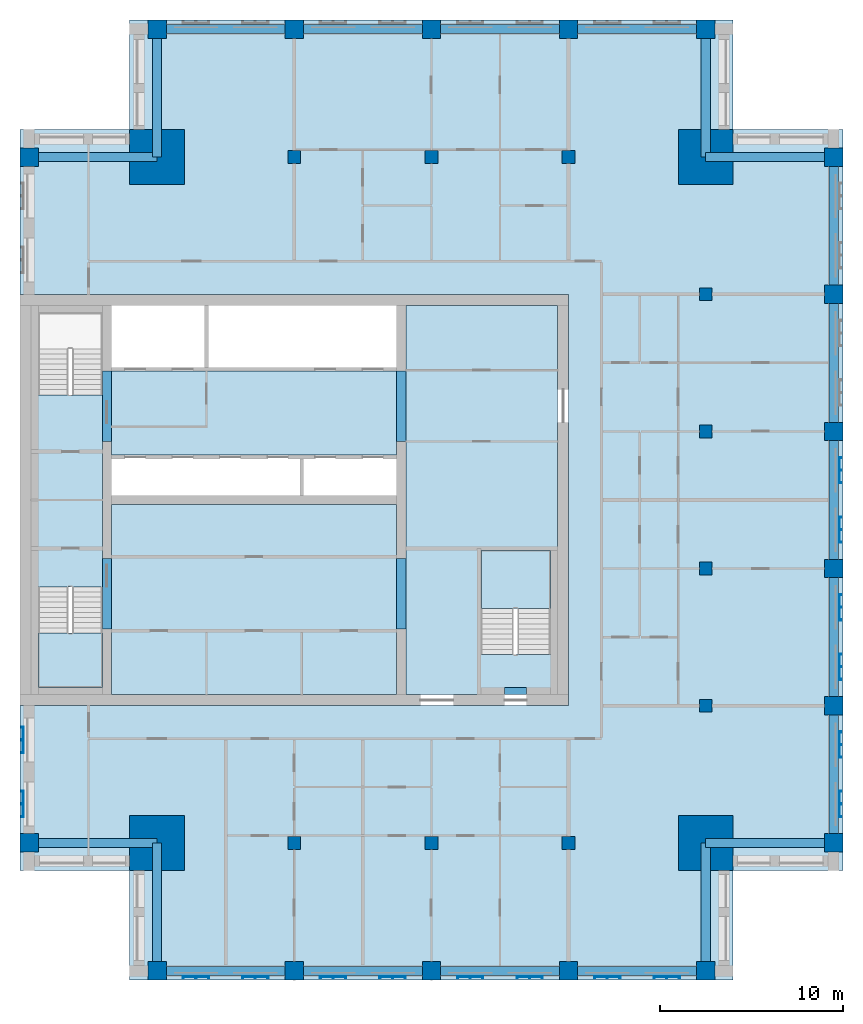
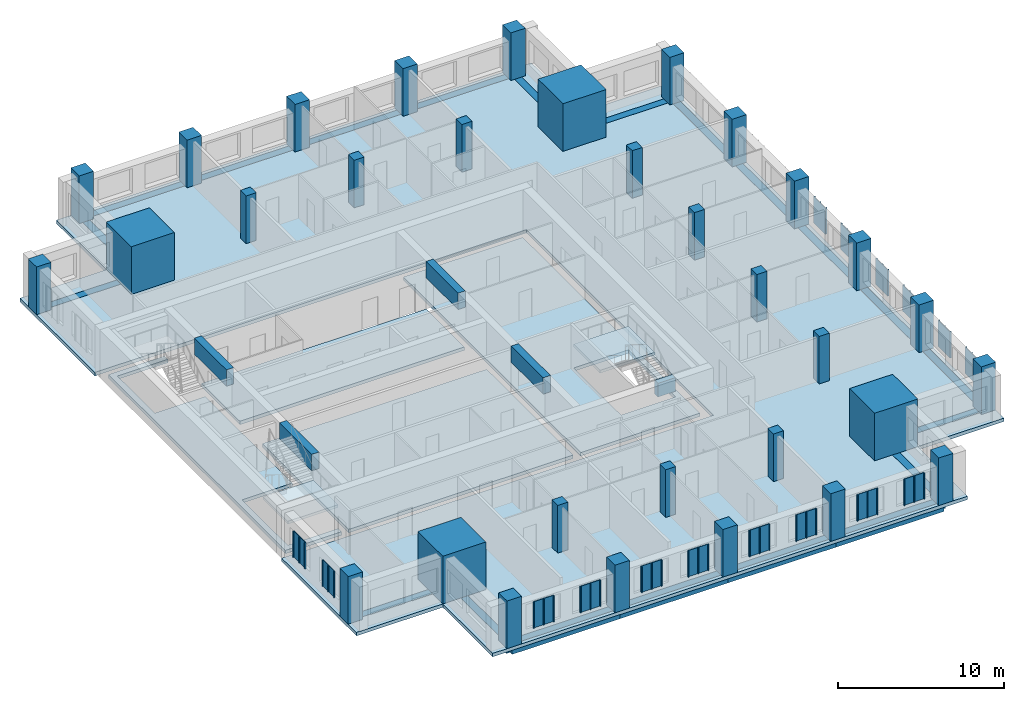
# One storey, part 1 of 10: 32 columns, 26 beams, 16 plates, 7 slabs, 2 elements without a shape of their own.
"""IFC4 building model written with IfcOpenShell, lengths in metres."""

import ifcopenshell
import ifcopenshell.guid

model = None  # the IFC model being written
_history = None  # IfcOwnerHistory: only IFC2X3 demands one
_inside = {}  # id of a spatial element -> (the spatial element, [elements in it])
_under = {}  # id of a project, library or spatial element -> (it, [spatial elements below it])
_declared = {}  # id of a project -> (the project, [libraries it declares])
_typed = {}  # id of a type object -> (the type object, [elements of that type])
_made_of = {}  # id of a material, layer set ... -> (it, [elements and type objects made of it])


def new_model(schema):
    """Start an empty IFC model of exactly this schema.

    Asked for "IFC4X3", IfcOpenShell would pick the latest addendum, in which some entities
    have other attributes; the version numbers below select the first issue.
    IFC2X3 requires an IfcOwnerHistory on every rooted entity: one is made here for all.
    """
    global model, _history
    if schema == "IFC4X3":
        model = ifcopenshell.file(schema_version=(4, 3, 0, 0))
    else:
        model = ifcopenshell.file(schema=schema)
    _inside.clear()
    _under.clear()
    _declared.clear()
    _typed.clear()
    _made_of.clear()
    _history = None
    if model.schema == "IFC2X3":
        org = make("IfcOrganization", Name="unknown")
        user = make(
            "IfcPersonAndOrganization",
            ThePerson=make("IfcPerson", FamilyName="unknown"),
            TheOrganization=org,
        )
        app = make(
            "IfcApplication",
            ApplicationDeveloper=org,
            Version="unknown",
            ApplicationFullName="unknown",
            ApplicationIdentifier="unknown",
        )
        _history = make(
            "IfcOwnerHistory",
            OwningUser=user,
            OwningApplication=app,
            ChangeAction="ADDED",
            CreationDate=0,
        )
    return model


def make(cls, **values):
    """One entity of the class cls with the attributes given. An attribute that is None is left unset."""
    return model.create_entity(
        cls, **{name: value for name, value in values.items() if value is not None}
    )


def rooted(cls, **values):
    """An entity with a GlobalId (a new one), such as an element, a storey or a relation."""
    return make(cls, GlobalId=ifcopenshell.guid.new(), OwnerHistory=_history, **values)


def si_unit(unit_type, name, prefix=None):
    """IfcSIUnit, for example si_unit("LENGTHUNIT", "METRE", prefix="MILLI")."""
    return make("IfcSIUnit", UnitType=unit_type, Prefix=prefix, Name=name)


def assignment(units):
    """IfcUnitAssignment: the units of a project."""
    return None if units is None else make("IfcUnitAssignment", Units=units)


def point(xyz):
    """IfcCartesianPoint."""
    return None if xyz is None else make("IfcCartesianPoint", Coordinates=xyz)


def direction(xyz):
    """IfcDirection."""
    return None if xyz is None else make("IfcDirection", DirectionRatios=xyz)


def frame(location, z_axis=None, x_axis=None):
    """IfcAxis2Placement3D, a coordinate frame: its origin and axes. An axis left out is left unset."""
    return make(
        "IfcAxis2Placement3D",
        Location=point(location),
        Axis=direction(z_axis),
        RefDirection=direction(x_axis),
    )


def frame_2d(location, x_axis=None):
    """IfcAxis2Placement2D, a coordinate frame in the plane: its origin and x axis."""
    return make(
        "IfcAxis2Placement2D", Location=point(location), RefDirection=direction(x_axis)
    )


def origin():
    """The frame at (0, 0, 0) with its axes left unset."""
    return frame((0.0, 0.0, 0.0))


def origin_2d():
    """The frame at (0, 0) in the plane with its x axis left unset."""
    return frame_2d((0.0, 0.0))


def place(relative_to, where):
    """IfcLocalPlacement: puts the frame where relative to a parent placement (None: the world)."""
    return make(
        "IfcLocalPlacement", PlacementRelTo=relative_to, RelativePlacement=where
    )


def context(
    kind, dimensions, precision=None, world=None, true_north=None, identifier=None
):
    """IfcGeometricRepresentationContext, for example the 3D "Model" context."""
    return make(
        "IfcGeometricRepresentationContext",
        ContextIdentifier=identifier,
        ContextType=kind,
        CoordinateSpaceDimension=dimensions,
        Precision=precision,
        WorldCoordinateSystem=world,
        TrueNorth=true_north,
    )


def subcontext(parent, identifier, kind, view, scale=None):
    """IfcGeometricRepresentationSubContext, for example "Body" below "Model"."""
    return make(
        "IfcGeometricRepresentationSubContext",
        ContextIdentifier=identifier,
        ContextType=kind,
        ParentContext=parent,
        TargetScale=scale,
        TargetView=view,
    )


def project(units=None, contexts=None):
    """IfcProject with its units and contexts."""
    return rooted(
        "IfcProject",
        Name="project",
        RepresentationContexts=contexts,
        UnitsInContext=assignment(units),
    )


def spatial(cls, under=None, at=None, **own):
    """A site, building, storey or space (cls), placed at a placement, below another one or the project."""
    s = rooted(cls, ObjectPlacement=at, **own)
    if under is not None:
        _under.setdefault(under.id(), (under, []))[1].append(s)
    return s


def polyline(points):
    """IfcPolyline through the points."""
    return make("IfcPolyline", Points=[point(p) for p in points])


def profile(cls, at=None, kind="AREA", **sizes):
    """A parametric profile (cls). Its sizes go by their IFC names, for example OverallWidth=200.0."""
    return make(cls, ProfileType=kind, Position=at, **sizes)


def rectangle(**sizes):
    """IfcRectangleProfileDef."""
    return profile("IfcRectangleProfileDef", **sizes)


def outline(outer, holes=None, kind="AREA"):
    """IfcArbitraryClosedProfileDef: a profile drawn as a closed curve; with holes, ...WithVoids."""
    if holes is None:
        return make("IfcArbitraryClosedProfileDef", ProfileType=kind, OuterCurve=outer)
    return make(
        "IfcArbitraryProfileDefWithVoids",
        ProfileType=kind,
        OuterCurve=outer,
        InnerCurves=holes,
    )


def extrude(swept, where, along, depth):
    """IfcExtrudedAreaSolid: the profile swept, set in the frame where, extruded along a direction by depth."""
    return make(
        "IfcExtrudedAreaSolid",
        SweptArea=swept,
        Position=where,
        ExtrudedDirection=direction(along),
        Depth=depth,
    )


def shape(context_of_items, identifier, shape_type, items):
    """IfcShapeRepresentation: the items that make up one representation, for example the "Body"."""
    return make(
        "IfcShapeRepresentation",
        ContextOfItems=context_of_items,
        RepresentationIdentifier=identifier,
        RepresentationType=shape_type,
        Items=items,
    )


def material(Name=None, Category=None):
    """IfcMaterial."""
    return make("IfcMaterial", Name=Name, Category=Category)


def layer(
    of_material, thickness, ventilated=None, Name=None, Category=None, Priority=None
):
    """IfcMaterialLayer: one layer of a wall or slab, of a material (None: an air gap)."""
    return make(
        "IfcMaterialLayer",
        Material=of_material,
        LayerThickness=thickness,
        IsVentilated=ventilated,
        Name=Name,
        Category=Category,
        Priority=Priority,
    )


def layer_set(layers, Name=None):
    """IfcMaterialLayerSet."""
    return make("IfcMaterialLayerSet", MaterialLayers=layers, LayerSetName=Name)


def material_profile(
    of_material, cross_section, Name=None, Category=None, Priority=None
):
    """IfcMaterialProfile: a cross section and its material."""
    return make(
        "IfcMaterialProfile",
        Name=Name,
        Material=of_material,
        Profile=cross_section,
        Priority=Priority,
        Category=Category,
    )


def profile_set(profiles, Name=None, composite=None):
    """IfcMaterialProfileSet."""
    return make(
        "IfcMaterialProfileSet",
        Name=Name,
        MaterialProfiles=profiles,
        CompositeProfile=composite,
    )


def made_of(thing, what):
    """Note that an element or type object is made of a material, layer set ...; save() writes the relation."""
    if what is not None:
        _made_of.setdefault(what.id(), (what, []))[1].append(thing)
    return thing


def type_object(cls, material=None, **own):
    """A type object (cls), such as IfcWallType, which elements share."""
    return made_of(rooted(cls, **own), material)


def element(
    cls,
    number,
    at=None,
    inside=None,
    cuts=None,
    type_object=None,
    material=None,
    context=None,
    identifier="Body",
    shape_type=None,
    held_by="IfcProductDefinitionShape",
    body=None,
    shapes=None,
    **own,
):
    """One element of the class cls, such as IfcWall. Its Tag is "e" and its number.

    at: its placement. inside: the storey or other place that contains it. cuts: it is an
    opening in that element (IfcRelVoidsElement). A single representation is given by context,
    identifier, shape_type and body (its items); several are given by shapes. held_by: the class
    of the entity that holds the representations. save() writes the other relations.
    """
    e = rooted(cls, Tag="e%d" % number, ObjectPlacement=at, **own)
    if body is not None:
        shapes = [shape(context, identifier, shape_type, body)]
    if shapes is not None:
        e.Representation = make(held_by, Representations=shapes)
    if inside is not None:
        _inside.setdefault(inside.id(), (inside, []))[1].append(e)
    if cuts is not None:
        rooted(
            "IfcRelVoidsElement", RelatingBuildingElement=cuts, RelatedOpeningElement=e
        )
    if type_object is not None:
        _typed.setdefault(type_object.id(), (type_object, []))[1].append(e)
    return made_of(e, material)


def aggregate(whole, parts):
    """IfcRelAggregates: a whole, such as a stair, and the parts it consists of."""
    return rooted("IfcRelAggregates", RelatingObject=whole, RelatedObjects=parts)


def save(model, path):
    """Write the relations noted so far, then the file.

    IfcRelAggregates (storeys below a building ...), IfcRelContainedInSpatialStructure (elements
    in a storey), IfcRelDefinesByType, IfcRelAssociatesMaterial and IfcRelDeclares: one each for
    every whole, place, type object, material and project.
    """
    for whole, parts in _under.values():
        aggregate(whole, parts)
    for where, things in _inside.values():
        rooted(
            "IfcRelContainedInSpatialStructure",
            RelatedElements=things,
            RelatingStructure=where,
        )
    for kind, things in _typed.values():
        rooted("IfcRelDefinesByType", RelatedObjects=things, RelatingType=kind)
    for what, things in _made_of.values():
        rooted("IfcRelAssociatesMaterial", RelatedObjects=things, RelatingMaterial=what)
    for by, libraries in _declared.values():
        rooted("IfcRelDeclares", RelatingContext=by, RelatedDefinitions=libraries)
    model.write(path)


model = new_model("IFC4")

# Units and contexts
model_context = context("Model", 3, precision=1e-05, world=origin(), true_north=direction((0.0, 1.0)))
body_context = subcontext(model_context, "Body", "Model", "MODEL_VIEW")
ifc_project = project(units=[si_unit("LENGTHUNIT", "METRE"), si_unit("AREAUNIT", "SQUARE_METRE"), si_unit("VOLUMEUNIT", "CUBIC_METRE"), si_unit("PLANEANGLEUNIT", "RADIAN"), si_unit("MASSUNIT", "GRAM", prefix="KILO")], contexts=[model_context])

# Site, building, storey
site_placement = place(None, origin())
site = spatial("IfcSite", under=ifc_project, at=site_placement, CompositionType="ELEMENT")
building_placement = place(site_placement, origin())
building = spatial("IfcBuilding", under=site, at=building_placement, Name="Tamorin Gate", CompositionType="ELEMENT")
storey_placement = place(building_placement, frame((0.0, 0.0, 269.699951171875)))
storey = spatial("IfcBuildingStorey", under=building, at=storey_placement, Name="L67", CompositionType="ELEMENT", Elevation=269.699951171875)

# Columns
ifc_material_1 = material(Name="Concrete C50/60", Category="concrete")
ifc_material_profile_1 = material_profile(ifc_material_1, rectangle(XDim=1.0, YDim=1.0, at=origin_2d()), Name="RC 1000x1000")
ifc_profile_set_1 = profile_set([ifc_material_profile_1], Name="Concrete C50/60")
column_type_1 = type_object("IfcColumnType", Name="RC column 1000x1000 C50/60", PredefinedType="COLUMN", material=ifc_profile_set_1)
for number, where, z_axis, x_axis, name in (
    (1, (30.5, 52.5, 0.0), (0.0, 0.0, 1.0), (1.0, 0.0, 0.0), "Ring column L67"),
    (2, (30.5, 90.0, 0.0), (0.0, 0.0, 1.0), (1.0, 0.0, 0.0), "Ring column L67"),
    (3, (37.5, 45.5, 0.0), (0.0, 0.0, 1.0), (1.0, 0.0, 0.0), "Ring column L67"),
    (4, (37.5, 97.0, 0.0), (0.0, 0.0, 1.0), (1.0, 0.0, 0.0), "Ring column L67"),
    (5, (45.0, 45.5, 0.0), (0.0, 0.0, 1.0), (1.0, 0.0, 0.0), "Ring column L67"),
    (6, (45.0, 97.0, 0.0), (0.0, 0.0, 1.0), (1.0, 0.0, 0.0), "Ring column L67"),
    (7, (52.5, 45.5, 0.0), (0.0, 0.0, 1.0), (1.0, 0.0, 0.0), "Ring column L67"),
    (8, (52.5, 97.0, 0.0), (0.0, 0.0, 1.0), (1.0, 0.0, 0.0), "Ring column L67"),
    (9, (60.0, 45.5, 0.0), (0.0, 0.0, 1.0), (1.0, 0.0, 0.0), "Ring column L67"),
    (10, (60.0, 97.0, 0.0), (0.0, 0.0, 1.0), (1.0, 0.0, 0.0), "Ring column L67"),
    (11, (67.5, 45.5, 0.0), (0.0, 0.0, 1.0), (1.0, 0.0, 0.0), "Ring column L67"),
    (12, (67.5, 97.0, 0.0), (0.0, 0.0, 1.0), (1.0, 0.0, 0.0), "Ring column L67"),
    (13, (74.5, 52.5, 0.0), (0.0, 0.0, 1.0), (1.0, 0.0, 0.0), "Ring column L67"),
    (14, (74.5, 60.0, 0.0), (0.0, 0.0, 1.0), (1.0, 0.0, 0.0), "Ring column L67"),
    (15, (74.5, 67.5, 0.0), (0.0, 0.0, 1.0), (1.0, 0.0, 0.0), "Ring column L67"),
    (16, (74.5, 75.0, 0.0), (0.0, 0.0, 1.0), (1.0, 0.0, 0.0), "Ring column L67"),
    (17, (74.5, 82.5, 0.0), (0.0, 0.0, 1.0), (1.0, 0.0, 0.0), "Ring column L67"),
    (18, (74.5, 90.0, 0.0), (0.0, 0.0, 1.0), (1.0, 0.0, 0.0), "Ring column L67"),
):
    element("IfcColumn", number, at=place(storey_placement, frame(where, z_axis=z_axis, x_axis=x_axis)), inside=storey, type_object=column_type_1, Name=name, PredefinedType="COLUMN", context=body_context, shape_type="SweptSolid", body=[
        extrude(rectangle(XDim=1.0, YDim=1.0, at=origin_2d()), origin(), (0.0, 0.0, 1.0), 3.5),
    ])
ifc_material_profile_2 = material_profile(ifc_material_1, rectangle(XDim=3.0, YDim=3.0, at=origin_2d()), Name="RC 3000x3000")
ifc_profile_set_2 = profile_set([ifc_material_profile_2], Name="Concrete C50/60")
column_type_2 = type_object("IfcColumnType", Name="RC column 3000x3000 C50/60", PredefinedType="COLUMN", material=ifc_profile_set_2)
for number, where, z_axis, x_axis, name in (
    (19, (37.5, 52.5, 0.0), (0.0, 0.0, 1.0), (1.0, 0.0, 0.0), "Mega column SW L67"),
    (20, (67.5, 52.5, 0.0), (0.0, 0.0, 1.0), (1.0, 0.0, 0.0), "Mega column SE L67"),
    (21, (37.5, 90.0, 0.0), (0.0, 0.0, 1.0), (1.0, 0.0, 0.0), "Mega column NW L67"),
    (22, (67.5, 90.0, 0.0), (0.0, 0.0, 1.0), (1.0, 0.0, 0.0), "Mega column NE L67"),
):
    element("IfcColumn", number, at=place(storey_placement, frame(where, z_axis=z_axis, x_axis=x_axis)), inside=storey, type_object=column_type_2, Name=name, PredefinedType="COLUMN", context=body_context, shape_type="SweptSolid", body=[
        extrude(rectangle(XDim=3.0, YDim=3.0, at=origin_2d()), origin(), (0.0, 0.0, 1.0), 3.5),
    ])
ifc_material_profile_3 = material_profile(ifc_material_1, rectangle(XDim=0.699951171875, YDim=0.699951171875, at=origin_2d()), Name="RC 700x700")
ifc_profile_set_3 = profile_set([ifc_material_profile_3], Name="Concrete C50/60")
column_type_3 = type_object("IfcColumnType", Name="RC column 700x700 C50/60", PredefinedType="COLUMN", material=ifc_profile_set_3)
for number, where, z_axis, x_axis, name in (
    (23, (45.0, 52.5, 0.0), (0.0, 0.0, 1.0), (1.0, 0.0, 0.0), "Interior column L67"),
    (24, (45.0, 90.0, 0.0), (0.0, 0.0, 1.0), (1.0, 0.0, 0.0), "Interior column L67"),
    (25, (52.5, 52.5, 0.0), (0.0, 0.0, 1.0), (1.0, 0.0, 0.0), "Interior column L67"),
    (26, (52.5, 90.0, 0.0), (0.0, 0.0, 1.0), (1.0, 0.0, 0.0), "Interior column L67"),
    (27, (60.0, 52.5, 0.0), (0.0, 0.0, 1.0), (1.0, 0.0, 0.0), "Interior column L67"),
    (28, (60.0, 90.0, 0.0), (0.0, 0.0, 1.0), (1.0, 0.0, 0.0), "Interior column L67"),
    (29, (67.5, 60.0, 0.0), (0.0, 0.0, 1.0), (1.0, 0.0, 0.0), "Interior column L67"),
    (30, (67.5, 67.5, 0.0), (0.0, 0.0, 1.0), (1.0, 0.0, 0.0), "Interior column L67"),
    (31, (67.5, 75.0, 0.0), (0.0, 0.0, 1.0), (1.0, 0.0, 0.0), "Interior column L67"),
    (32, (67.5, 82.5, 0.0), (0.0, 0.0, 1.0), (1.0, 0.0, 0.0), "Interior column L67"),
):
    element("IfcColumn", number, at=place(storey_placement, frame(where, z_axis=z_axis, x_axis=x_axis)), inside=storey, type_object=column_type_3, Name=name, PredefinedType="COLUMN", context=body_context, shape_type="SweptSolid", body=[
        extrude(rectangle(XDim=0.699951171875, YDim=0.699951171875, at=origin_2d()), origin(), (0.0, 0.0, 1.0), 3.5),
    ])

# Beams
ifc_material_profile_4 = material_profile(ifc_material_1, rectangle(XDim=0.5, YDim=1.199951171875, at=origin_2d()), Name="RC 500x1200")
ifc_profile_set_4 = profile_set([ifc_material_profile_4], Name="Concrete C50/60")
beam_type_1 = type_object("IfcBeamType", Name="RC coupling beam 500x1200 C50/60", PredefinedType="BEAM", material=ifc_profile_set_4)
for number, where, z_axis, x_axis, name in (
    (33, (34.75, 64.199951171875, 2.900146484375), (0.0, 1.0, 0.0), (-1.0, 0.0, 0.0), "Coupling beam L67"),
    (34, (34.75, 74.449951171875, 2.900146484375), (0.0, 1.0, 0.0), (-1.0, 0.0, 0.0), "Coupling beam L67"),
    (35, (50.85009765625, 64.199951171875, 2.900146484375), (0.0, 1.0, 0.0), (-1.0, 0.0, 0.0), "Coupling beam L67"),
    (36, (50.85009765625, 74.449951171875, 2.900146484375), (0.0, 1.0, 0.0), (-1.0, 0.0, 0.0), "Coupling beam L67"),
):
    element("IfcBeam", number, at=place(storey_placement, frame(where, z_axis=z_axis, x_axis=x_axis)), inside=storey, type_object=beam_type_1, Name=name, PredefinedType="BEAM", context=body_context, shape_type="SweptSolid", body=[
        extrude(rectangle(XDim=0.5, YDim=1.199951171875, at=origin_2d()), origin(), (0.0, 0.0, 1.0), 3.85009765625),
    ])
ifc_material_profile_5 = material_profile(ifc_material_1, rectangle(XDim=0.5, YDim=0.75, at=origin_2d()), Name="RC 500x750")
ifc_profile_set_5 = profile_set([ifc_material_profile_5], Name="Concrete C50/60")
beam_type_2 = type_object("IfcBeamType", Name="RC spandrel 500x750 C50/60", PredefinedType="BEAM", material=ifc_profile_set_5)
for number, where, z_axis, x_axis, name in (
    (37, (37.5, 45.5, -0.375), (1.0, 0.0, 0.0), (0.0, 1.0, 0.0), "Spandrel beam L67"),
    (38, (45.0, 45.5, -0.375), (1.0, 0.0, 0.0), (0.0, 1.0, 0.0), "Spandrel beam L67"),
    (39, (52.5, 45.5, -0.375), (1.0, 0.0, 0.0), (0.0, 1.0, 0.0), "Spandrel beam L67"),
    (40, (60.0, 45.5, -0.375), (1.0, 0.0, 0.0), (0.0, 1.0, 0.0), "Spandrel beam L67"),
    (41, (74.5, 52.5, -0.375), (0.0, 1.0, 0.0), (-1.0, 0.0, 0.0), "Spandrel beam L67"),
    (42, (74.5, 60.0, -0.375), (0.0, 1.0, 0.0), (-1.0, 0.0, 0.0), "Spandrel beam L67"),
    (43, (74.5, 67.5, -0.375), (0.0, 1.0, 0.0), (-1.0, 0.0, 0.0), "Spandrel beam L67"),
    (44, (74.5, 75.0, -0.375), (0.0, 1.0, 0.0), (-1.0, 0.0, 0.0), "Spandrel beam L67"),
    (45, (74.5, 82.5, -0.375), (0.0, 1.0, 0.0), (-1.0, 0.0, 0.0), "Spandrel beam L67"),
    (46, (67.5, 97.0, -0.375), (-1.0, 0.0, 0.0), (0.0, -1.0, 0.0), "Spandrel beam L67"),
    (47, (60.0, 97.0, -0.375), (-1.0, 0.0, 0.0), (0.0, -1.0, 0.0), "Spandrel beam L67"),
    (48, (52.5, 97.0, -0.375), (-1.0, 0.0, 0.0), (0.0, -1.0, 0.0), "Spandrel beam L67"),
    (49, (45.0, 97.0, -0.375), (-1.0, 0.0, 0.0), (0.0, -1.0, 0.0), "Spandrel beam L67"),
):
    element("IfcBeam", number, at=place(storey_placement, frame(where, z_axis=z_axis, x_axis=x_axis)), inside=storey, type_object=beam_type_2, Name=name, PredefinedType="BEAM", context=body_context, shape_type="SweptSolid", body=[
        extrude(rectangle(XDim=0.5, YDim=0.75, at=origin_2d()), origin(), (0.0, 0.0, 1.0), 7.5),
    ])
for number, where, z_axis, x_axis, name in (
    (50, (37.5, 52.5, -0.375), (-1.0, 0.0, 0.0), (0.0, -1.0, 0.0), "Corner tie beam L67"),
    (51, (37.5, 52.5, -0.375), (0.0, -1.0, 0.0), (1.0, 0.0, 0.0), "Corner tie beam L67"),
    (52, (67.5, 52.5, -0.375), (0.0, -1.0, 0.0), (1.0, 0.0, 0.0), "Corner tie beam L67"),
    (53, (67.5, 52.5, -0.375), (1.0, 0.0, 0.0), (0.0, 1.0, 0.0), "Corner tie beam L67"),
    (54, (37.5, 90.0, -0.375), (-1.0, 0.0, 0.0), (0.0, -1.0, 0.0), "Corner tie beam L67"),
    (55, (37.5, 90.0, -0.375), (0.0, 1.0, 0.0), (-1.0, 0.0, 0.0), "Corner tie beam L67"),
    (56, (67.5, 90.0, -0.375), (0.0, 1.0, 0.0), (-1.0, 0.0, 0.0), "Corner tie beam L67"),
    (57, (67.5, 90.0, -0.375), (1.0, 0.0, 0.0), (0.0, 1.0, 0.0), "Corner tie beam L67"),
):
    element("IfcBeam", number, at=place(storey_placement, frame(where, z_axis=z_axis, x_axis=x_axis)), inside=storey, type_object=beam_type_2, Name=name, PredefinedType="BEAM", context=body_context, shape_type="SweptSolid", body=[
        extrude(rectangle(XDim=0.5, YDim=0.75, at=origin_2d()), origin(), (0.0, 0.0, 1.0), 7.0),
    ])
ifc_material_profile_6 = material_profile(ifc_material_1, rectangle(XDim=0.39990234375, YDim=1.0, at=origin_2d()))
ifc_profile_set_6 = profile_set([ifc_material_profile_6], Name="Concrete C50/60")
beam_type_3 = type_object("IfcBeamType", Name="Stair lintel 400x1000 C50/60", PredefinedType="BEAM", material=ifc_profile_set_6)
beam_placement = place(storey_placement, frame((56.5, 60.800048828125, 2.699951171875), z_axis=(1.0, 0.0, 0.0), x_axis=(0.0, 1.0, 0.0)))
element("IfcBeam", 58, at=beam_placement, inside=storey, type_object=beam_type_3, Name="Stair lintel", PredefinedType="BEAM", context=body_context, shape_type="SweptSolid", body=[
    extrude(rectangle(XDim=0.39990234375, YDim=1.0, at=origin_2d()), origin(), (0.0, 0.0, 1.0), 1.199951171875),
])

# Slabs
ifc_material_2 = material(Name="Concrete C40/50", Category="concrete")
ifc_layer_1 = layer(ifc_material_2, 0.25)
ifc_layer_set_1 = layer_set([ifc_layer_1], Name="Core floor slab 250 C40/50")
slab_type_1 = type_object("IfcSlabType", Name="Core floor slab 250 C40/50", PredefinedType="FLOOR", material=ifc_layer_set_1)
slab_1_placement = place(storey_placement, frame((0.0, 0.0, -0.25)))
element("IfcSlab", 59, at=slab_1_placement, inside=storey, type_object=slab_type_1, Name="Core floor L67", PredefinedType="FLOOR", context=body_context, shape_type="SweptSolid", body=[
    extrude(outline(polyline([(51.10009765625, 81.89990234375), (59.39990234375, 81.89990234375), (59.39990234375, 60.60009765625), (51.10009765625, 60.60009765625), (51.10009765625, 81.89990234375)]), holes=[polyline([(55.199951171875, 62.800048828125), (59.0, 62.800048828125), (59.0, 68.5), (55.199951171875, 68.5), (55.199951171875, 62.800048828125)])]), origin(), (0.0, 0.0, 1.0), 0.25),
])
slab_2_placement = place(storey_placement, frame((0.0, 0.0, -0.25)))
element("IfcSlab", 60, at=slab_2_placement, inside=storey, type_object=slab_type_1, Name="Core floor L67", PredefinedType="FLOOR", context=body_context, shape_type="SweptSolid", body=[
    extrude(outline(polyline([(50.60009765625, 71.0), (50.60009765625, 60.60009765625), (35.0, 60.60009765625), (35.0, 71.0), (50.60009765625, 71.0)])), origin(), (0.0, 0.0, 1.0), 0.25),
])
slab_3_placement = place(storey_placement, frame((0.0, 0.0, -0.25)))
element("IfcSlab", 61, at=slab_3_placement, inside=storey, type_object=slab_type_1, Name="Core floor L67", PredefinedType="FLOOR", context=body_context, shape_type="SweptSolid", body=[
    extrude(outline(polyline([(50.60009765625, 73.699951171875), (35.0, 73.699951171875), (35.0, 78.300048828125), (50.60009765625, 78.300048828125), (50.60009765625, 73.699951171875)])), origin(), (0.0, 0.0, 1.0), 0.25),
])
slab_4_placement = place(storey_placement, frame((0.0, 0.0, -0.25)))
element("IfcSlab", 62, at=slab_4_placement, inside=storey, type_object=slab_type_1, Name="Core floor L67", PredefinedType="FLOOR", context=body_context, shape_type="SweptSolid", body=[
    extrude(outline(polyline([(34.5, 60.60009765625), (30.60009765625, 60.60009765625), (30.60009765625, 81.89990234375), (34.5, 81.89990234375), (34.5, 81.5), (31.0, 81.5), (31.0, 77.0), (34.5, 77.0), (34.5, 66.5), (31.0, 66.5), (31.0, 61.0), (34.5, 61.0), (34.5, 60.60009765625)])), origin(), (0.0, 0.0, 1.0), 0.25),
])

# Stair, slab
stair_type = type_object("IfcStairType", Name="Exit stair", PredefinedType="HALF_TURN_STAIR", material=ifc_material_2)
stair_1_placement = place(storey_placement, origin())
stair_1 = element("IfcStair", 63, at=stair_1_placement, inside=storey, type_object=stair_type, Name="L67 stair ST1", PredefinedType="HALF_TURN_STAIR")
ifc_layer_2 = layer(ifc_material_2, 0.199951171875)
ifc_layer_set_2 = layer_set([ifc_layer_2], Name="Exit stair landing 200")
slab_type_2 = type_object("IfcSlabType", Name="Exit stair landing 200", PredefinedType="LANDING", material=ifc_layer_set_2)
slab_5_placement = place(storey_placement, frame((0.0, 0.0, 1.550048828125)))
slab_5 = element("IfcSlab", 64, at=slab_5_placement, type_object=slab_type_2, Name="ST1 landing 1", PredefinedType="LANDING", context=body_context, shape_type="SweptSolid", body=[
    extrude(outline(polyline([(31.0, 63.97998046875), (31.0, 61.0), (34.5, 61.0), (34.5, 63.97998046875), (31.0, 63.97998046875)])), origin(), (0.0, 0.0, 1.0), 0.199951171875),
])
aggregate(stair_1, [slab_5])

stair_2_placement = place(storey_placement, origin())
stair_2 = element("IfcStair", 65, at=stair_2_placement, inside=storey, type_object=stair_type, Name="L67 stair ST3", PredefinedType="HALF_TURN_STAIR")
slab_6_placement = place(storey_placement, frame((0.0, 0.0, 1.550048828125)))
slab_6 = element("IfcSlab", 66, at=slab_6_placement, type_object=slab_type_2, Name="ST3 landing 1", PredefinedType="LANDING", context=body_context, shape_type="SweptSolid", body=[
    extrude(outline(polyline([(59.0, 65.320068359375), (59.0, 68.5), (55.199951171875, 68.5), (55.199951171875, 65.320068359375), (59.0, 65.320068359375)])), origin(), (0.0, 0.0, 1.0), 0.199951171875),
])
aggregate(stair_2, [slab_6])

# Slab
ifc_layer_3 = layer(ifc_material_2, 0.25)
ifc_layer_set_3 = layer_set([ifc_layer_3], Name="Floor slab 250 C40/50")
slab_type_3 = type_object("IfcSlabType", Name="Floor slab 250 C40/50", PredefinedType="FLOOR", material=ifc_layer_set_3)
slab_7_placement = place(storey_placement, frame((0.0, 0.0, -0.25)))
element("IfcSlab", 67, at=slab_7_placement, inside=storey, type_object=slab_type_3, Name="Floor L67", PredefinedType="FLOOR", context=body_context, shape_type="SweptSolid", body=[
    extrude(outline(polyline([(30.0, 91.5), (36.0, 91.5), (36.0, 97.5), (69.0, 97.5), (69.0, 91.5), (75.0, 91.5), (75.0, 51.0), (69.0, 51.0), (69.0, 45.0), (36.0, 45.0), (36.0, 51.0), (30.0, 51.0), (30.0, 60.0), (60.0, 60.0), (60.0, 82.5), (30.0, 82.5), (30.0, 91.5)])), origin(), (0.0, 0.0, 1.0), 0.25),
])

# Plates
ifc_material_3 = material(Name="Perforated pale aluminium sheet", Category="aluminium")
ifc_layer_4 = layer(ifc_material_3, 0.0400390625)
ifc_layer_set_4 = layer_set([ifc_layer_4], Name="Pale metal solar screen 1440")
plate_type = type_object("IfcPlateType", Name="Pale metal solar screen 1440", PredefinedType="SHEET", material=ifc_layer_set_4)
plate_1_placement = place(storey_placement, frame((0.0, 0.0, 0.737548828125)))
element("IfcPlate", 68, at=plate_1_placement, inside=storey, type_object=plate_type, Name="Perforated solar screen", PredefinedType="SHEET", context=body_context, shape_type="SweptSolid", body=[
    extrude(outline(polyline([(38.905029296875, 45.159912109375), (38.905029296875, 45.199951171875), (38.965087890625, 45.199951171875), (39.594970703125, 45.199951171875), (39.655029296875, 45.199951171875), (40.284912109375, 45.199951171875), (40.344970703125, 45.199951171875), (40.344970703125, 45.199951171875), (40.344970703125, 45.159912109375), (40.344970703125, 45.159912109375), (40.344970703125, 45.10009765625), (40.284912109375, 45.10009765625), (40.284912109375, 45.159912109375), (39.655029296875, 45.159912109375), (39.655029296875, 45.10009765625), (39.594970703125, 45.10009765625), (39.594970703125, 45.159912109375), (38.965087890625, 45.159912109375), (38.965087890625, 45.10009765625), (38.905029296875, 45.10009765625), (38.905029296875, 45.159912109375)])), origin(), (0.0, 0.0, 1.0), 1.925048828125),
])
plate_2_placement = place(storey_placement, frame((0.0, 0.0, 0.737548828125)))
element("IfcPlate", 69, at=plate_2_placement, inside=storey, type_object=plate_type, Name="Perforated solar screen", PredefinedType="SHEET", context=body_context, shape_type="SweptSolid", body=[
    extrude(outline(polyline([(42.155029296875, 45.159912109375), (42.155029296875, 45.199951171875), (42.215087890625, 45.199951171875), (42.844970703125, 45.199951171875), (42.905029296875, 45.199951171875), (43.534912109375, 45.199951171875), (43.594970703125, 45.199951171875), (43.594970703125, 45.199951171875), (43.594970703125, 45.159912109375), (43.594970703125, 45.159912109375), (43.594970703125, 45.10009765625), (43.534912109375, 45.10009765625), (43.534912109375, 45.159912109375), (42.905029296875, 45.159912109375), (42.905029296875, 45.10009765625), (42.844970703125, 45.10009765625), (42.844970703125, 45.159912109375), (42.215087890625, 45.159912109375), (42.215087890625, 45.10009765625), (42.155029296875, 45.10009765625), (42.155029296875, 45.159912109375)])), origin(), (0.0, 0.0, 1.0), 1.925048828125),
])
plate_3_placement = place(storey_placement, frame((0.0, 0.0, 0.737548828125)))
element("IfcPlate", 70, at=plate_3_placement, inside=storey, type_object=plate_type, Name="Perforated solar screen", PredefinedType="SHEET", context=body_context, shape_type="SweptSolid", body=[
    extrude(outline(polyline([(46.405029296875, 45.159912109375), (46.405029296875, 45.199951171875), (46.465087890625, 45.199951171875), (47.094970703125, 45.199951171875), (47.155029296875, 45.199951171875), (47.784912109375, 45.199951171875), (47.844970703125, 45.199951171875), (47.844970703125, 45.159912109375), (47.844970703125, 45.10009765625), (47.784912109375, 45.10009765625), (47.784912109375, 45.159912109375), (47.155029296875, 45.159912109375), (47.155029296875, 45.10009765625), (47.094970703125, 45.10009765625), (47.094970703125, 45.159912109375), (46.465087890625, 45.159912109375), (46.465087890625, 45.10009765625), (46.405029296875, 45.10009765625), (46.405029296875, 45.159912109375)])), origin(), (0.0, 0.0, 1.0), 1.925048828125),
])
plate_4_placement = place(storey_placement, frame((0.0, 0.0, 0.737548828125)))
element("IfcPlate", 71, at=plate_4_placement, inside=storey, type_object=plate_type, Name="Perforated solar screen", PredefinedType="SHEET", context=body_context, shape_type="SweptSolid", body=[
    extrude(outline(polyline([(49.655029296875, 45.159912109375), (49.655029296875, 45.199951171875), (49.715087890625, 45.199951171875), (50.344970703125, 45.199951171875), (50.405029296875, 45.199951171875), (51.034912109375, 45.199951171875), (51.094970703125, 45.199951171875), (51.094970703125, 45.159912109375), (51.094970703125, 45.10009765625), (51.034912109375, 45.10009765625), (51.034912109375, 45.159912109375), (50.405029296875, 45.159912109375), (50.405029296875, 45.10009765625), (50.344970703125, 45.10009765625), (50.344970703125, 45.159912109375), (49.715087890625, 45.159912109375), (49.715087890625, 45.10009765625), (49.655029296875, 45.10009765625), (49.655029296875, 45.159912109375)])), origin(), (0.0, 0.0, 1.0), 1.925048828125),
])
plate_5_placement = place(storey_placement, frame((0.0, 0.0, 0.737548828125)))
element("IfcPlate", 72, at=plate_5_placement, inside=storey, type_object=plate_type, Name="Perforated solar screen", PredefinedType="SHEET", context=body_context, shape_type="SweptSolid", body=[
    extrude(outline(polyline([(53.905029296875, 45.159912109375), (53.905029296875, 45.199951171875), (53.965087890625, 45.199951171875), (54.594970703125, 45.199951171875), (54.655029296875, 45.199951171875), (55.284912109375, 45.199951171875), (55.344970703125, 45.199951171875), (55.344970703125, 45.159912109375), (55.344970703125, 45.10009765625), (55.284912109375, 45.10009765625), (55.284912109375, 45.159912109375), (54.655029296875, 45.159912109375), (54.655029296875, 45.10009765625), (54.594970703125, 45.10009765625), (54.594970703125, 45.159912109375), (53.965087890625, 45.159912109375), (53.965087890625, 45.10009765625), (53.905029296875, 45.10009765625), (53.905029296875, 45.159912109375)])), origin(), (0.0, 0.0, 1.0), 1.925048828125),
])
plate_6_placement = place(storey_placement, frame((0.0, 0.0, 0.737548828125)))
element("IfcPlate", 73, at=plate_6_placement, inside=storey, type_object=plate_type, Name="Perforated solar screen", PredefinedType="SHEET", context=body_context, shape_type="SweptSolid", body=[
    extrude(outline(polyline([(57.155029296875, 45.159912109375), (57.155029296875, 45.199951171875), (57.215087890625, 45.199951171875), (57.844970703125, 45.199951171875), (57.905029296875, 45.199951171875), (58.534912109375, 45.199951171875), (58.594970703125, 45.199951171875), (58.594970703125, 45.159912109375), (58.594970703125, 45.10009765625), (58.534912109375, 45.10009765625), (58.534912109375, 45.159912109375), (57.905029296875, 45.159912109375), (57.905029296875, 45.10009765625), (57.844970703125, 45.10009765625), (57.844970703125, 45.159912109375), (57.215087890625, 45.159912109375), (57.215087890625, 45.10009765625), (57.155029296875, 45.10009765625), (57.155029296875, 45.159912109375)])), origin(), (0.0, 0.0, 1.0), 1.925048828125),
])
plate_7_placement = place(storey_placement, frame((0.0, 0.0, 0.737548828125)))
element("IfcPlate", 74, at=plate_7_placement, inside=storey, type_object=plate_type, Name="Perforated solar screen", PredefinedType="SHEET", context=body_context, shape_type="SweptSolid", body=[
    extrude(outline(polyline([(61.405029296875, 45.159912109375), (61.405029296875, 45.199951171875), (61.465087890625, 45.199951171875), (62.094970703125, 45.199951171875), (62.155029296875, 45.199951171875), (62.784912109375, 45.199951171875), (62.844970703125, 45.199951171875), (62.844970703125, 45.159912109375), (62.844970703125, 45.10009765625), (62.784912109375, 45.10009765625), (62.784912109375, 45.159912109375), (62.155029296875, 45.159912109375), (62.155029296875, 45.10009765625), (62.094970703125, 45.10009765625), (62.094970703125, 45.159912109375), (61.465087890625, 45.159912109375), (61.465087890625, 45.10009765625), (61.405029296875, 45.10009765625), (61.405029296875, 45.159912109375)])), origin(), (0.0, 0.0, 1.0), 1.925048828125),
])
plate_8_placement = place(storey_placement, frame((0.0, 0.0, 0.737548828125)))
element("IfcPlate", 75, at=plate_8_placement, inside=storey, type_object=plate_type, Name="Perforated solar screen", PredefinedType="SHEET", context=body_context, shape_type="SweptSolid", body=[
    extrude(outline(polyline([(64.655029296875, 45.159912109375), (64.655029296875, 45.199951171875), (64.715087890625, 45.199951171875), (65.344970703125, 45.199951171875), (65.405029296875, 45.199951171875), (66.034912109375, 45.199951171875), (66.094970703125, 45.199951171875), (66.094970703125, 45.159912109375), (66.094970703125, 45.10009765625), (66.034912109375, 45.10009765625), (66.034912109375, 45.159912109375), (65.405029296875, 45.159912109375), (65.405029296875, 45.10009765625), (65.344970703125, 45.10009765625), (65.344970703125, 45.159912109375), (64.715087890625, 45.159912109375), (64.715087890625, 45.10009765625), (64.655029296875, 45.10009765625), (64.655029296875, 45.159912109375)])), origin(), (0.0, 0.0, 1.0), 1.925048828125),
])
plate_9_placement = place(storey_placement, frame((0.0, 0.0, 0.737548828125)))
element("IfcPlate", 76, at=plate_9_placement, inside=storey, type_object=plate_type, Name="Perforated solar screen", PredefinedType="SHEET", context=body_context, shape_type="SweptSolid", body=[
    extrude(outline(polyline([(74.840087890625, 53.905029296875), (74.800048828125, 53.905029296875), (74.800048828125, 53.965087890625), (74.800048828125, 54.594970703125), (74.800048828125, 54.655029296875), (74.800048828125, 55.284912109375), (74.800048828125, 55.344970703125), (74.800048828125, 55.344970703125), (74.840087890625, 55.344970703125), (74.840087890625, 55.344970703125), (74.89990234375, 55.344970703125), (74.89990234375, 55.284912109375), (74.840087890625, 55.284912109375), (74.840087890625, 54.655029296875), (74.89990234375, 54.655029296875), (74.89990234375, 54.594970703125), (74.840087890625, 54.594970703125), (74.840087890625, 53.965087890625), (74.89990234375, 53.965087890625), (74.89990234375, 53.905029296875), (74.840087890625, 53.905029296875)])), origin(), (0.0, 0.0, 1.0), 1.925048828125),
])
plate_10_placement = place(storey_placement, frame((0.0, 0.0, 0.737548828125)))
element("IfcPlate", 77, at=plate_10_placement, inside=storey, type_object=plate_type, Name="Perforated solar screen", PredefinedType="SHEET", context=body_context, shape_type="SweptSolid", body=[
    extrude(outline(polyline([(74.840087890625, 57.155029296875), (74.800048828125, 57.155029296875), (74.800048828125, 57.215087890625), (74.800048828125, 57.844970703125), (74.800048828125, 57.905029296875), (74.800048828125, 58.534912109375), (74.800048828125, 58.594970703125), (74.800048828125, 58.594970703125), (74.840087890625, 58.594970703125), (74.840087890625, 58.594970703125), (74.89990234375, 58.594970703125), (74.89990234375, 58.534912109375), (74.840087890625, 58.534912109375), (74.840087890625, 57.905029296875), (74.89990234375, 57.905029296875), (74.89990234375, 57.844970703125), (74.840087890625, 57.844970703125), (74.840087890625, 57.215087890625), (74.89990234375, 57.215087890625), (74.89990234375, 57.155029296875), (74.840087890625, 57.155029296875)])), origin(), (0.0, 0.0, 1.0), 1.925048828125),
])
plate_11_placement = place(storey_placement, frame((0.0, 0.0, 0.737548828125)))
element("IfcPlate", 78, at=plate_11_placement, inside=storey, type_object=plate_type, Name="Perforated solar screen", PredefinedType="SHEET", context=body_context, shape_type="SweptSolid", body=[
    extrude(outline(polyline([(74.840087890625, 61.405029296875), (74.800048828125, 61.405029296875), (74.800048828125, 61.465087890625), (74.800048828125, 62.094970703125), (74.800048828125, 62.155029296875), (74.800048828125, 62.784912109375), (74.800048828125, 62.844970703125), (74.840087890625, 62.844970703125), (74.89990234375, 62.844970703125), (74.89990234375, 62.784912109375), (74.840087890625, 62.784912109375), (74.840087890625, 62.155029296875), (74.89990234375, 62.155029296875), (74.89990234375, 62.094970703125), (74.840087890625, 62.094970703125), (74.840087890625, 61.465087890625), (74.89990234375, 61.465087890625), (74.89990234375, 61.405029296875), (74.840087890625, 61.405029296875)])), origin(), (0.0, 0.0, 1.0), 1.925048828125),
])
plate_12_placement = place(storey_placement, frame((0.0, 0.0, 0.737548828125)))
element("IfcPlate", 79, at=plate_12_placement, inside=storey, type_object=plate_type, Name="Perforated solar screen", PredefinedType="SHEET", context=body_context, shape_type="SweptSolid", body=[
    extrude(outline(polyline([(74.840087890625, 64.655029296875), (74.800048828125, 64.655029296875), (74.800048828125, 64.715087890625), (74.800048828125, 65.344970703125), (74.800048828125, 65.405029296875), (74.800048828125, 66.034912109375), (74.800048828125, 66.094970703125), (74.840087890625, 66.094970703125), (74.89990234375, 66.094970703125), (74.89990234375, 66.034912109375), (74.840087890625, 66.034912109375), (74.840087890625, 65.405029296875), (74.89990234375, 65.405029296875), (74.89990234375, 65.344970703125), (74.840087890625, 65.344970703125), (74.840087890625, 64.715087890625), (74.89990234375, 64.715087890625), (74.89990234375, 64.655029296875), (74.840087890625, 64.655029296875)])), origin(), (0.0, 0.0, 1.0), 1.925048828125),
])
plate_13_placement = place(storey_placement, frame((0.0, 0.0, 0.737548828125)))
element("IfcPlate", 80, at=plate_13_placement, inside=storey, type_object=plate_type, Name="Perforated solar screen", PredefinedType="SHEET", context=body_context, shape_type="SweptSolid", body=[
    extrude(outline(polyline([(74.840087890625, 68.905029296875), (74.800048828125, 68.905029296875), (74.800048828125, 68.965087890625), (74.800048828125, 69.594970703125), (74.800048828125, 69.655029296875), (74.800048828125, 70.284912109375), (74.800048828125, 70.344970703125), (74.840087890625, 70.344970703125), (74.89990234375, 70.344970703125), (74.89990234375, 70.284912109375), (74.840087890625, 70.284912109375), (74.840087890625, 69.655029296875), (74.89990234375, 69.655029296875), (74.89990234375, 69.594970703125), (74.840087890625, 69.594970703125), (74.840087890625, 68.965087890625), (74.89990234375, 68.965087890625), (74.89990234375, 68.905029296875), (74.840087890625, 68.905029296875)])), origin(), (0.0, 0.0, 1.0), 1.925048828125),
])
plate_14_placement = place(storey_placement, frame((0.0, 0.0, 0.737548828125)))
element("IfcPlate", 81, at=plate_14_placement, inside=storey, type_object=plate_type, Name="Perforated solar screen", PredefinedType="SHEET", context=body_context, shape_type="SweptSolid", body=[
    extrude(outline(polyline([(74.840087890625, 72.155029296875), (74.800048828125, 72.155029296875), (74.800048828125, 72.215087890625), (74.800048828125, 72.844970703125), (74.800048828125, 72.905029296875), (74.800048828125, 73.534912109375), (74.800048828125, 73.594970703125), (74.840087890625, 73.594970703125), (74.89990234375, 73.594970703125), (74.89990234375, 73.534912109375), (74.840087890625, 73.534912109375), (74.840087890625, 72.905029296875), (74.89990234375, 72.905029296875), (74.89990234375, 72.844970703125), (74.840087890625, 72.844970703125), (74.840087890625, 72.215087890625), (74.89990234375, 72.215087890625), (74.89990234375, 72.155029296875), (74.840087890625, 72.155029296875)])), origin(), (0.0, 0.0, 1.0), 1.925048828125),
])
plate_15_placement = place(storey_placement, frame((0.0, 0.0, 0.737548828125)))
element("IfcPlate", 82, at=plate_15_placement, inside=storey, type_object=plate_type, Name="Perforated solar screen", PredefinedType="SHEET", context=body_context, shape_type="SweptSolid", body=[
    extrude(outline(polyline([(30.159912109375, 55.344970703125), (30.199951171875, 55.344970703125), (30.199951171875, 55.284912109375), (30.199951171875, 54.655029296875), (30.199951171875, 54.594970703125), (30.199951171875, 53.965087890625), (30.199951171875, 53.905029296875), (30.159912109375, 53.905029296875), (30.10009765625, 53.905029296875), (30.10009765625, 53.965087890625), (30.159912109375, 53.965087890625), (30.159912109375, 54.594970703125), (30.10009765625, 54.594970703125), (30.10009765625, 54.655029296875), (30.159912109375, 54.655029296875), (30.159912109375, 55.284912109375), (30.10009765625, 55.284912109375), (30.10009765625, 55.344970703125), (30.159912109375, 55.344970703125)])), origin(), (0.0, 0.0, 1.0), 1.925048828125),
])
plate_16_placement = place(storey_placement, frame((0.0, 0.0, 0.737548828125)))
element("IfcPlate", 83, at=plate_16_placement, inside=storey, type_object=plate_type, Name="Perforated solar screen", PredefinedType="SHEET", context=body_context, shape_type="SweptSolid", body=[
    extrude(outline(polyline([(30.159912109375, 58.844970703125), (30.199951171875, 58.844970703125), (30.199951171875, 58.784912109375), (30.199951171875, 58.155029296875), (30.199951171875, 58.094970703125), (30.199951171875, 57.465087890625), (30.199951171875, 57.405029296875), (30.159912109375, 57.405029296875), (30.10009765625, 57.405029296875), (30.10009765625, 57.465087890625), (30.159912109375, 57.465087890625), (30.159912109375, 58.094970703125), (30.10009765625, 58.094970703125), (30.10009765625, 58.155029296875), (30.159912109375, 58.155029296875), (30.159912109375, 58.784912109375), (30.10009765625, 58.784912109375), (30.10009765625, 58.844970703125), (30.159912109375, 58.844970703125)])), origin(), (0.0, 0.0, 1.0), 1.925048828125),
])

save(model, "model.ifc")
